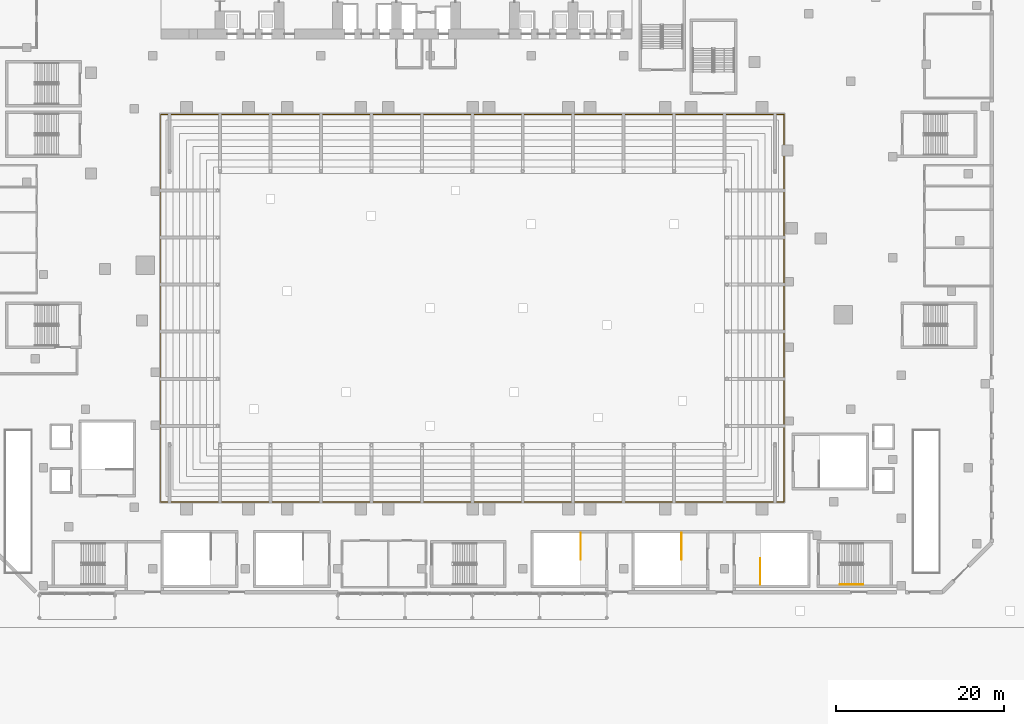
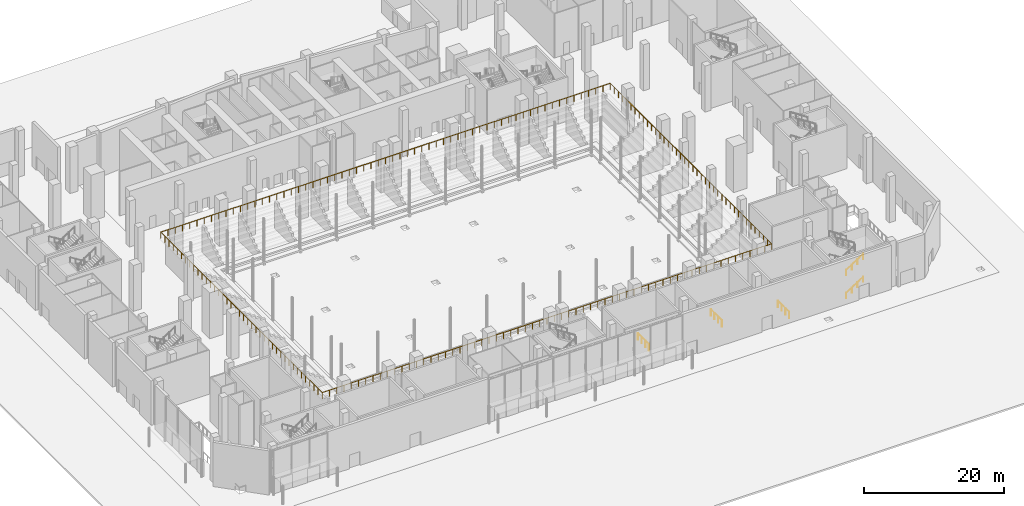
# One storey, part 35 of 41: 6 railings.
"""IFC4 building model written with IfcOpenShell, lengths in metres."""

import ifcopenshell
import ifcopenshell.guid

model = None  # the IFC model being written
_history = None  # IfcOwnerHistory: only IFC2X3 demands one
_inside = {}  # id of a spatial element -> (the spatial element, [elements in it])
_under = {}  # id of a project, library or spatial element -> (it, [spatial elements below it])
_declared = {}  # id of a project -> (the project, [libraries it declares])
_typed = {}  # id of a type object -> (the type object, [elements of that type])
_made_of = {}  # id of a material, layer set ... -> (it, [elements and type objects made of it])


def new_model(schema):
    """Start an empty IFC model of exactly this schema.

    Asked for "IFC4X3", IfcOpenShell would pick the latest addendum, in which some entities
    have other attributes; the version numbers below select the first issue.
    IFC2X3 requires an IfcOwnerHistory on every rooted entity: one is made here for all.
    """
    global model, _history
    if schema == "IFC4X3":
        model = ifcopenshell.file(schema_version=(4, 3, 0, 0))
    else:
        model = ifcopenshell.file(schema=schema)
    _inside.clear()
    _under.clear()
    _declared.clear()
    _typed.clear()
    _made_of.clear()
    _history = None
    if model.schema == "IFC2X3":
        org = make("IfcOrganization", Name="unknown")
        user = make(
            "IfcPersonAndOrganization",
            ThePerson=make("IfcPerson", FamilyName="unknown"),
            TheOrganization=org,
        )
        app = make(
            "IfcApplication",
            ApplicationDeveloper=org,
            Version="unknown",
            ApplicationFullName="unknown",
            ApplicationIdentifier="unknown",
        )
        _history = make(
            "IfcOwnerHistory",
            OwningUser=user,
            OwningApplication=app,
            ChangeAction="ADDED",
            CreationDate=0,
        )
    return model


def make(cls, **values):
    """One entity of the class cls with the attributes given. An attribute that is None is left unset."""
    return model.create_entity(
        cls, **{name: value for name, value in values.items() if value is not None}
    )


def rooted(cls, **values):
    """An entity with a GlobalId (a new one), such as an element, a storey or a relation."""
    return make(cls, GlobalId=ifcopenshell.guid.new(), OwnerHistory=_history, **values)


def si_unit(unit_type, name, prefix=None):
    """IfcSIUnit, for example si_unit("LENGTHUNIT", "METRE", prefix="MILLI")."""
    return make("IfcSIUnit", UnitType=unit_type, Prefix=prefix, Name=name)


def assignment(units):
    """IfcUnitAssignment: the units of a project."""
    return None if units is None else make("IfcUnitAssignment", Units=units)


def point(xyz):
    """IfcCartesianPoint."""
    return None if xyz is None else make("IfcCartesianPoint", Coordinates=xyz)


def direction(xyz):
    """IfcDirection."""
    return None if xyz is None else make("IfcDirection", DirectionRatios=xyz)


def frame(location, z_axis=None, x_axis=None):
    """IfcAxis2Placement3D, a coordinate frame: its origin and axes. An axis left out is left unset."""
    return make(
        "IfcAxis2Placement3D",
        Location=point(location),
        Axis=direction(z_axis),
        RefDirection=direction(x_axis),
    )


def frame_2d(location, x_axis=None):
    """IfcAxis2Placement2D, a coordinate frame in the plane: its origin and x axis."""
    return make(
        "IfcAxis2Placement2D", Location=point(location), RefDirection=direction(x_axis)
    )


def origin():
    """The frame at (0, 0, 0) with its axes left unset."""
    return frame((0.0, 0.0, 0.0))


def origin_2d():
    """The frame at (0, 0) in the plane with its x axis left unset."""
    return frame_2d((0.0, 0.0))


def place(relative_to, where):
    """IfcLocalPlacement: puts the frame where relative to a parent placement (None: the world)."""
    return make(
        "IfcLocalPlacement", PlacementRelTo=relative_to, RelativePlacement=where
    )


def context(
    kind, dimensions, precision=None, world=None, true_north=None, identifier=None
):
    """IfcGeometricRepresentationContext, for example the 3D "Model" context."""
    return make(
        "IfcGeometricRepresentationContext",
        ContextIdentifier=identifier,
        ContextType=kind,
        CoordinateSpaceDimension=dimensions,
        Precision=precision,
        WorldCoordinateSystem=world,
        TrueNorth=true_north,
    )


def subcontext(parent, identifier, kind, view, scale=None):
    """IfcGeometricRepresentationSubContext, for example "Body" below "Model"."""
    return make(
        "IfcGeometricRepresentationSubContext",
        ContextIdentifier=identifier,
        ContextType=kind,
        ParentContext=parent,
        TargetScale=scale,
        TargetView=view,
    )


def project(units=None, contexts=None):
    """IfcProject with its units and contexts."""
    return rooted(
        "IfcProject",
        Name="project",
        RepresentationContexts=contexts,
        UnitsInContext=assignment(units),
    )


def spatial(cls, under=None, at=None, **own):
    """A site, building, storey or space (cls), placed at a placement, below another one or the project."""
    s = rooted(cls, ObjectPlacement=at, **own)
    if under is not None:
        _under.setdefault(under.id(), (under, []))[1].append(s)
    return s


def profile(cls, at=None, kind="AREA", **sizes):
    """A parametric profile (cls). Its sizes go by their IFC names, for example OverallWidth=200.0."""
    return make(cls, ProfileType=kind, Position=at, **sizes)


def circle(**sizes):
    """IfcCircleProfileDef."""
    return profile("IfcCircleProfileDef", **sizes)


def extrude(swept, where, along, depth):
    """IfcExtrudedAreaSolid: the profile swept, set in the frame where, extruded along a direction by depth."""
    return make(
        "IfcExtrudedAreaSolid",
        SweptArea=swept,
        Position=where,
        ExtrudedDirection=direction(along),
        Depth=depth,
    )


def shape(context_of_items, identifier, shape_type, items):
    """IfcShapeRepresentation: the items that make up one representation, for example the "Body"."""
    return make(
        "IfcShapeRepresentation",
        ContextOfItems=context_of_items,
        RepresentationIdentifier=identifier,
        RepresentationType=shape_type,
        Items=items,
    )


def material(Name=None, Category=None):
    """IfcMaterial."""
    return make("IfcMaterial", Name=Name, Category=Category)


def made_of(thing, what):
    """Note that an element or type object is made of a material, layer set ...; save() writes the relation."""
    if what is not None:
        _made_of.setdefault(what.id(), (what, []))[1].append(thing)
    return thing


def type_object(cls, material=None, **own):
    """A type object (cls), such as IfcWallType, which elements share."""
    return made_of(rooted(cls, **own), material)


def element(
    cls,
    number,
    at=None,
    inside=None,
    cuts=None,
    type_object=None,
    material=None,
    context=None,
    identifier="Body",
    shape_type=None,
    held_by="IfcProductDefinitionShape",
    body=None,
    shapes=None,
    **own,
):
    """One element of the class cls, such as IfcWall. Its Tag is "e" and its number.

    at: its placement. inside: the storey or other place that contains it. cuts: it is an
    opening in that element (IfcRelVoidsElement). A single representation is given by context,
    identifier, shape_type and body (its items); several are given by shapes. held_by: the class
    of the entity that holds the representations. save() writes the other relations.
    """
    e = rooted(cls, Tag="e%d" % number, ObjectPlacement=at, **own)
    if body is not None:
        shapes = [shape(context, identifier, shape_type, body)]
    if shapes is not None:
        e.Representation = make(held_by, Representations=shapes)
    if inside is not None:
        _inside.setdefault(inside.id(), (inside, []))[1].append(e)
    if cuts is not None:
        rooted(
            "IfcRelVoidsElement", RelatingBuildingElement=cuts, RelatedOpeningElement=e
        )
    if type_object is not None:
        _typed.setdefault(type_object.id(), (type_object, []))[1].append(e)
    return made_of(e, material)


def aggregate(whole, parts):
    """IfcRelAggregates: a whole, such as a stair, and the parts it consists of."""
    return rooted("IfcRelAggregates", RelatingObject=whole, RelatedObjects=parts)


def save(model, path):
    """Write the relations noted so far, then the file.

    IfcRelAggregates (storeys below a building ...), IfcRelContainedInSpatialStructure (elements
    in a storey), IfcRelDefinesByType, IfcRelAssociatesMaterial and IfcRelDeclares: one each for
    every whole, place, type object, material and project.
    """
    for whole, parts in _under.values():
        aggregate(whole, parts)
    for where, things in _inside.values():
        rooted(
            "IfcRelContainedInSpatialStructure",
            RelatedElements=things,
            RelatingStructure=where,
        )
    for kind, things in _typed.values():
        rooted("IfcRelDefinesByType", RelatedObjects=things, RelatingType=kind)
    for what, things in _made_of.values():
        rooted("IfcRelAssociatesMaterial", RelatedObjects=things, RelatingMaterial=what)
    for by, libraries in _declared.values():
        rooted("IfcRelDeclares", RelatingContext=by, RelatedDefinitions=libraries)
    model.write(path)


model = new_model("IFC4")

# Units and contexts
model_context = context("Model", 3, precision=1e-05, world=origin(), true_north=direction((0.0, 1.0)))
body_context = subcontext(model_context, "Body", "Model", "MODEL_VIEW")
ifc_project = project(units=[si_unit("LENGTHUNIT", "METRE"), si_unit("AREAUNIT", "SQUARE_METRE"), si_unit("VOLUMEUNIT", "CUBIC_METRE"), si_unit("PLANEANGLEUNIT", "RADIAN"), si_unit("MASSUNIT", "GRAM", prefix="KILO")], contexts=[model_context])

# Site, building, storey
site_placement = place(None, origin())
site = spatial("IfcSite", under=ifc_project, at=site_placement, CompositionType="ELEMENT")
building_placement = place(site_placement, origin())
building = spatial("IfcBuilding", under=site, at=building_placement, Name="Wharfspan Tower", CompositionType="ELEMENT")
storey_placement = place(building_placement, origin())
storey = spatial("IfcBuildingStorey", under=building, at=storey_placement, Name="L00", CompositionType="ELEMENT", Elevation=0.0)

# Railings
ifc_material = material(Name="Steel S355J2", Category="steel")
railing_type_1 = type_object("IfcRailingType", Name="Guard 1100", PredefinedType="GUARDRAIL", material=ifc_material)
railing_1_placement = place(storey_placement, frame((8.949951, -21.050049, 4.949951)))
element("IfcRailing", 1, at=railing_1_placement, inside=storey, type_object=railing_type_1, Name="Guard on the top row", PredefinedType="GUARDRAIL", context=body_context, shape_type="SweptSolid", body=[
    extrude(circle(Radius=0.024902, at=origin_2d()), frame((0.0, 0.0, 1.075195), z_axis=(1.0, 0.0, 0.0), x_axis=(0.0, 1.0, 0.0)), (0.0, 0.0, 1.0), 74.100098),
    extrude(circle(Radius=0.024902, at=origin_2d()), frame((74.100098, 0.0, 1.075195), z_axis=(0.0, 1.0, 0.0), x_axis=(-1.0, 0.0, 0.0)), (0.0, 0.0, 1.0), 46.100098),
    extrude(circle(Radius=0.024902, at=origin_2d()), frame((74.100098, 46.100098, 1.075195), z_axis=(-1.0, 0.0, 0.0), x_axis=(0.0, -1.0, 0.0)), (0.0, 0.0, 1.0), 74.100098),
    extrude(circle(Radius=0.024902, at=origin_2d()), frame((0.0, 46.100098, 1.075195), z_axis=(0.0, -1.0, 0.0), x_axis=(1.0, 0.0, 0.0)), (0.0, 0.0, 1.0), 46.100098),
    extrude(circle(Radius=0.02002, at=origin_2d()), origin(), (0.0, 0.0, 1.0), 1.050049),
    extrude(circle(Radius=0.02002, at=origin_2d()), frame((1.195068, 0.0, 0.0)), (0.0, 0.0, 1.0), 1.050049),
    extrude(circle(Radius=0.02002, at=origin_2d()), frame((2.390381, 0.0, 0.0)), (0.0, 0.0, 1.0), 1.050049),
    extrude(circle(Radius=0.02002, at=origin_2d()), frame((3.585449, 0.0, 0.0)), (0.0, 0.0, 1.0), 1.050049),
    extrude(circle(Radius=0.02002, at=origin_2d()), frame((4.780762, 0.0, 0.0)), (0.0, 0.0, 1.0), 1.050049),
    extrude(circle(Radius=0.02002, at=origin_2d()), frame((5.97583, 0.0, 0.0)), (0.0, 0.0, 1.0), 1.050049),
    extrude(circle(Radius=0.02002, at=origin_2d()), frame((7.170898, 0.0, 0.0)), (0.0, 0.0, 1.0), 1.050049),
    extrude(circle(Radius=0.02002, at=origin_2d()), frame((8.366211, 0.0, 0.0)), (0.0, 0.0, 1.0), 1.050049),
    extrude(circle(Radius=0.02002, at=origin_2d()), frame((9.561279, 0.0, 0.0)), (0.0, 0.0, 1.0), 1.050049),
    extrude(circle(Radius=0.02002, at=origin_2d()), frame((10.756348, 0.0, 0.0)), (0.0, 0.0, 1.0), 1.050049),
    extrude(circle(Radius=0.02002, at=origin_2d()), frame((11.95166, 0.0, 0.0)), (0.0, 0.0, 1.0), 1.050049),
    extrude(circle(Radius=0.02002, at=origin_2d()), frame((13.146729, 0.0, 0.0)), (0.0, 0.0, 1.0), 1.050049),
    extrude(circle(Radius=0.02002, at=origin_2d()), frame((14.342041, 0.0, 0.0)), (0.0, 0.0, 1.0), 1.050049),
    extrude(circle(Radius=0.02002, at=origin_2d()), frame((15.537109, 0.0, 0.0)), (0.0, 0.0, 1.0), 1.050049),
    extrude(circle(Radius=0.02002, at=origin_2d()), frame((16.732178, 0.0, 0.0)), (0.0, 0.0, 1.0), 1.050049),
    extrude(circle(Radius=0.02002, at=origin_2d()), frame((17.92749, 0.0, 0.0)), (0.0, 0.0, 1.0), 1.050049),
    extrude(circle(Radius=0.02002, at=origin_2d()), frame((19.122559, 0.0, 0.0)), (0.0, 0.0, 1.0), 1.050049),
    extrude(circle(Radius=0.02002, at=origin_2d()), frame((20.317871, 0.0, 0.0)), (0.0, 0.0, 1.0), 1.050049),
    extrude(circle(Radius=0.02002, at=origin_2d()), frame((21.512939, 0.0, 0.0)), (0.0, 0.0, 1.0), 1.050049),
    extrude(circle(Radius=0.02002, at=origin_2d()), frame((22.708008, 0.0, 0.0)), (0.0, 0.0, 1.0), 1.050049),
    extrude(circle(Radius=0.02002, at=origin_2d()), frame((23.90332, 0.0, 0.0)), (0.0, 0.0, 1.0), 1.050049),
    extrude(circle(Radius=0.02002, at=origin_2d()), frame((25.098389, 0.0, 0.0)), (0.0, 0.0, 1.0), 1.050049),
    extrude(circle(Radius=0.02002, at=origin_2d()), frame((26.293701, 0.0, 0.0)), (0.0, 0.0, 1.0), 1.050049),
    extrude(circle(Radius=0.02002, at=origin_2d()), frame((27.48877, 0.0, 0.0)), (0.0, 0.0, 1.0), 1.050049),
    extrude(circle(Radius=0.02002, at=origin_2d()), frame((28.683838, 0.0, 0.0)), (0.0, 0.0, 1.0), 1.050049),
    extrude(circle(Radius=0.02002, at=origin_2d()), frame((29.87915, 0.0, 0.0)), (0.0, 0.0, 1.0), 1.050049),
    extrude(circle(Radius=0.02002, at=origin_2d()), frame((31.074219, 0.0, 0.0)), (0.0, 0.0, 1.0), 1.050049),
    extrude(circle(Radius=0.02002, at=origin_2d()), frame((32.269287, 0.0, 0.0)), (0.0, 0.0, 1.0), 1.050049),
    extrude(circle(Radius=0.02002, at=origin_2d()), frame((33.4646, 0.0, 0.0)), (0.0, 0.0, 1.0), 1.050049),
    extrude(circle(Radius=0.02002, at=origin_2d()), frame((34.659668, 0.0, 0.0)), (0.0, 0.0, 1.0), 1.050049),
    extrude(circle(Radius=0.02002, at=origin_2d()), frame((35.85498, 0.0, 0.0)), (0.0, 0.0, 1.0), 1.050049),
    extrude(circle(Radius=0.02002, at=origin_2d()), frame((37.050049, 0.0, 0.0)), (0.0, 0.0, 1.0), 1.050049),
    extrude(circle(Radius=0.02002, at=origin_2d()), frame((38.245117, 0.0, 0.0)), (0.0, 0.0, 1.0), 1.050049),
    extrude(circle(Radius=0.02002, at=origin_2d()), frame((39.44043, 0.0, 0.0)), (0.0, 0.0, 1.0), 1.050049),
    extrude(circle(Radius=0.02002, at=origin_2d()), frame((40.635498, 0.0, 0.0)), (0.0, 0.0, 1.0), 1.050049),
    extrude(circle(Radius=0.02002, at=origin_2d()), frame((41.830811, 0.0, 0.0)), (0.0, 0.0, 1.0), 1.050049),
    extrude(circle(Radius=0.02002, at=origin_2d()), frame((43.025879, 0.0, 0.0)), (0.0, 0.0, 1.0), 1.050049),
    extrude(circle(Radius=0.02002, at=origin_2d()), frame((44.220947, 0.0, 0.0)), (0.0, 0.0, 1.0), 1.050049),
    extrude(circle(Radius=0.02002, at=origin_2d()), frame((45.41626, 0.0, 0.0)), (0.0, 0.0, 1.0), 1.050049),
    extrude(circle(Radius=0.02002, at=origin_2d()), frame((46.611328, 0.0, 0.0)), (0.0, 0.0, 1.0), 1.050049),
    extrude(circle(Radius=0.02002, at=origin_2d()), frame((47.806396, 0.0, 0.0)), (0.0, 0.0, 1.0), 1.050049),
    extrude(circle(Radius=0.02002, at=origin_2d()), frame((49.001709, 0.0, 0.0)), (0.0, 0.0, 1.0), 1.050049),
    extrude(circle(Radius=0.02002, at=origin_2d()), frame((50.196777, 0.0, 0.0)), (0.0, 0.0, 1.0), 1.050049),
    extrude(circle(Radius=0.02002, at=origin_2d()), frame((51.39209, 0.0, 0.0)), (0.0, 0.0, 1.0), 1.050049),
    extrude(circle(Radius=0.02002, at=origin_2d()), frame((52.587158, 0.0, 0.0)), (0.0, 0.0, 1.0), 1.050049),
    extrude(circle(Radius=0.02002, at=origin_2d()), frame((53.782227, 0.0, 0.0)), (0.0, 0.0, 1.0), 1.050049),
    extrude(circle(Radius=0.02002, at=origin_2d()), frame((54.977539, 0.0, 0.0)), (0.0, 0.0, 1.0), 1.050049),
    extrude(circle(Radius=0.02002, at=origin_2d()), frame((56.172607, 0.0, 0.0)), (0.0, 0.0, 1.0), 1.050049),
    extrude(circle(Radius=0.02002, at=origin_2d()), frame((57.36792, 0.0, 0.0)), (0.0, 0.0, 1.0), 1.050049),
    extrude(circle(Radius=0.02002, at=origin_2d()), frame((58.562988, 0.0, 0.0)), (0.0, 0.0, 1.0), 1.050049),
    extrude(circle(Radius=0.02002, at=origin_2d()), frame((59.758057, 0.0, 0.0)), (0.0, 0.0, 1.0), 1.050049),
    extrude(circle(Radius=0.02002, at=origin_2d()), frame((60.953369, 0.0, 0.0)), (0.0, 0.0, 1.0), 1.050049),
    extrude(circle(Radius=0.02002, at=origin_2d()), frame((62.148438, 0.0, 0.0)), (0.0, 0.0, 1.0), 1.050049),
    extrude(circle(Radius=0.02002, at=origin_2d()), frame((63.34375, 0.0, 0.0)), (0.0, 0.0, 1.0), 1.050049),
    extrude(circle(Radius=0.02002, at=origin_2d()), frame((64.538818, 0.0, 0.0)), (0.0, 0.0, 1.0), 1.050049),
    extrude(circle(Radius=0.02002, at=origin_2d()), frame((65.733887, 0.0, 0.0)), (0.0, 0.0, 1.0), 1.050049),
    extrude(circle(Radius=0.02002, at=origin_2d()), frame((66.929199, 0.0, 0.0)), (0.0, 0.0, 1.0), 1.050049),
    extrude(circle(Radius=0.02002, at=origin_2d()), frame((68.124268, 0.0, 0.0)), (0.0, 0.0, 1.0), 1.050049),
    extrude(circle(Radius=0.02002, at=origin_2d()), frame((69.319336, 0.0, 0.0)), (0.0, 0.0, 1.0), 1.050049),
    extrude(circle(Radius=0.02002, at=origin_2d()), frame((70.514648, 0.0, 0.0)), (0.0, 0.0, 1.0), 1.050049),
    extrude(circle(Radius=0.02002, at=origin_2d()), frame((71.709717, 0.0, 0.0)), (0.0, 0.0, 1.0), 1.050049),
    extrude(circle(Radius=0.02002, at=origin_2d()), frame((72.905029, 0.0, 0.0)), (0.0, 0.0, 1.0), 1.050049),
    extrude(circle(Radius=0.02002, at=origin_2d()), frame((74.100098, 0.0, 0.0)), (0.0, 0.0, 1.0), 1.050049),
    extrude(circle(Radius=0.02002, at=origin_2d()), frame((74.100098, 1.182129, 0.0)), (0.0, 0.0, 1.0), 1.050049),
    extrude(circle(Radius=0.02002, at=origin_2d()), frame((74.100098, 2.364014, 0.0)), (0.0, 0.0, 1.0), 1.050049),
    extrude(circle(Radius=0.02002, at=origin_2d()), frame((74.100098, 3.546143, 0.0)), (0.0, 0.0, 1.0), 1.050049),
    extrude(circle(Radius=0.02002, at=origin_2d()), frame((74.100098, 4.728271, 0.0)), (0.0, 0.0, 1.0), 1.050049),
    extrude(circle(Radius=0.02002, at=origin_2d()), frame((74.100098, 5.910156, 0.0)), (0.0, 0.0, 1.0), 1.050049),
    extrude(circle(Radius=0.02002, at=origin_2d()), frame((74.100098, 7.092285, 0.0)), (0.0, 0.0, 1.0), 1.050049),
    extrude(circle(Radius=0.02002, at=origin_2d()), frame((74.100098, 8.274414, 0.0)), (0.0, 0.0, 1.0), 1.050049),
    extrude(circle(Radius=0.02002, at=origin_2d()), frame((74.100098, 9.456543, 0.0)), (0.0, 0.0, 1.0), 1.050049),
    extrude(circle(Radius=0.02002, at=origin_2d()), frame((74.100098, 10.638428, 0.0)), (0.0, 0.0, 1.0), 1.050049),
    extrude(circle(Radius=0.02002, at=origin_2d()), frame((74.100098, 11.820557, 0.0)), (0.0, 0.0, 1.0), 1.050049),
    extrude(circle(Radius=0.02002, at=origin_2d()), frame((74.100098, 13.002686, 0.0)), (0.0, 0.0, 1.0), 1.050049),
    extrude(circle(Radius=0.02002, at=origin_2d()), frame((74.100098, 14.18457, 0.0)), (0.0, 0.0, 1.0), 1.050049),
    extrude(circle(Radius=0.02002, at=origin_2d()), frame((74.100098, 15.366699, 0.0)), (0.0, 0.0, 1.0), 1.050049),
    extrude(circle(Radius=0.02002, at=origin_2d()), frame((74.100098, 16.548828, 0.0)), (0.0, 0.0, 1.0), 1.050049),
    extrude(circle(Radius=0.02002, at=origin_2d()), frame((74.100098, 17.730713, 0.0)), (0.0, 0.0, 1.0), 1.050049),
    extrude(circle(Radius=0.02002, at=origin_2d()), frame((74.100098, 18.912842, 0.0)), (0.0, 0.0, 1.0), 1.050049),
    extrude(circle(Radius=0.02002, at=origin_2d()), frame((74.100098, 20.094971, 0.0)), (0.0, 0.0, 1.0), 1.050049),
    extrude(circle(Radius=0.02002, at=origin_2d()), frame((74.100098, 21.276855, 0.0)), (0.0, 0.0, 1.0), 1.050049),
    extrude(circle(Radius=0.02002, at=origin_2d()), frame((74.100098, 22.458984, 0.0)), (0.0, 0.0, 1.0), 1.050049),
    extrude(circle(Radius=0.02002, at=origin_2d()), frame((74.100098, 23.641113, 0.0)), (0.0, 0.0, 1.0), 1.050049),
    extrude(circle(Radius=0.02002, at=origin_2d()), frame((74.100098, 24.823242, 0.0)), (0.0, 0.0, 1.0), 1.050049),
    extrude(circle(Radius=0.02002, at=origin_2d()), frame((74.100098, 26.005127, 0.0)), (0.0, 0.0, 1.0), 1.050049),
    extrude(circle(Radius=0.02002, at=origin_2d()), frame((74.100098, 27.187256, 0.0)), (0.0, 0.0, 1.0), 1.050049),
    extrude(circle(Radius=0.02002, at=origin_2d()), frame((74.100098, 28.369385, 0.0)), (0.0, 0.0, 1.0), 1.050049),
    extrude(circle(Radius=0.02002, at=origin_2d()), frame((74.100098, 29.55127, 0.0)), (0.0, 0.0, 1.0), 1.050049),
    extrude(circle(Radius=0.02002, at=origin_2d()), frame((74.100098, 30.733398, 0.0)), (0.0, 0.0, 1.0), 1.050049),
    extrude(circle(Radius=0.02002, at=origin_2d()), frame((74.100098, 31.915527, 0.0)), (0.0, 0.0, 1.0), 1.050049),
    extrude(circle(Radius=0.02002, at=origin_2d()), frame((74.100098, 33.097412, 0.0)), (0.0, 0.0, 1.0), 1.050049),
    extrude(circle(Radius=0.02002, at=origin_2d()), frame((74.100098, 34.279541, 0.0)), (0.0, 0.0, 1.0), 1.050049),
    extrude(circle(Radius=0.02002, at=origin_2d()), frame((74.100098, 35.46167, 0.0)), (0.0, 0.0, 1.0), 1.050049),
    extrude(circle(Radius=0.02002, at=origin_2d()), frame((74.100098, 36.643555, 0.0)), (0.0, 0.0, 1.0), 1.050049),
    extrude(circle(Radius=0.02002, at=origin_2d()), frame((74.100098, 37.825684, 0.0)), (0.0, 0.0, 1.0), 1.050049),
    extrude(circle(Radius=0.02002, at=origin_2d()), frame((74.100098, 39.007812, 0.0)), (0.0, 0.0, 1.0), 1.050049),
    extrude(circle(Radius=0.02002, at=origin_2d()), frame((74.100098, 40.189941, 0.0)), (0.0, 0.0, 1.0), 1.050049),
    extrude(circle(Radius=0.02002, at=origin_2d()), frame((74.100098, 41.371826, 0.0)), (0.0, 0.0, 1.0), 1.050049),
    extrude(circle(Radius=0.02002, at=origin_2d()), frame((74.100098, 42.553955, 0.0)), (0.0, 0.0, 1.0), 1.050049),
    extrude(circle(Radius=0.02002, at=origin_2d()), frame((74.100098, 43.736084, 0.0)), (0.0, 0.0, 1.0), 1.050049),
    extrude(circle(Radius=0.02002, at=origin_2d()), frame((74.100098, 44.917969, 0.0)), (0.0, 0.0, 1.0), 1.050049),
    extrude(circle(Radius=0.02002, at=origin_2d()), frame((74.100098, 46.100098, 0.0)), (0.0, 0.0, 1.0), 1.050049),
    extrude(circle(Radius=0.02002, at=origin_2d()), frame((72.905029, 46.100098, 0.0)), (0.0, 0.0, 1.0), 1.050049),
    extrude(circle(Radius=0.02002, at=origin_2d()), frame((71.709717, 46.100098, 0.0)), (0.0, 0.0, 1.0), 1.050049),
    extrude(circle(Radius=0.02002, at=origin_2d()), frame((70.514648, 46.100098, 0.0)), (0.0, 0.0, 1.0), 1.050049),
    extrude(circle(Radius=0.02002, at=origin_2d()), frame((69.319336, 46.100098, 0.0)), (0.0, 0.0, 1.0), 1.050049),
    extrude(circle(Radius=0.02002, at=origin_2d()), frame((68.124268, 46.100098, 0.0)), (0.0, 0.0, 1.0), 1.050049),
    extrude(circle(Radius=0.02002, at=origin_2d()), frame((66.929199, 46.100098, 0.0)), (0.0, 0.0, 1.0), 1.050049),
    extrude(circle(Radius=0.02002, at=origin_2d()), frame((65.733887, 46.100098, 0.0)), (0.0, 0.0, 1.0), 1.050049),
    extrude(circle(Radius=0.02002, at=origin_2d()), frame((64.538818, 46.100098, 0.0)), (0.0, 0.0, 1.0), 1.050049),
    extrude(circle(Radius=0.02002, at=origin_2d()), frame((63.34375, 46.100098, 0.0)), (0.0, 0.0, 1.0), 1.050049),
    extrude(circle(Radius=0.02002, at=origin_2d()), frame((62.148438, 46.100098, 0.0)), (0.0, 0.0, 1.0), 1.050049),
    extrude(circle(Radius=0.02002, at=origin_2d()), frame((60.953369, 46.100098, 0.0)), (0.0, 0.0, 1.0), 1.050049),
    extrude(circle(Radius=0.02002, at=origin_2d()), frame((59.758057, 46.100098, 0.0)), (0.0, 0.0, 1.0), 1.050049),
    extrude(circle(Radius=0.02002, at=origin_2d()), frame((58.562988, 46.100098, 0.0)), (0.0, 0.0, 1.0), 1.050049),
    extrude(circle(Radius=0.02002, at=origin_2d()), frame((57.36792, 46.100098, 0.0)), (0.0, 0.0, 1.0), 1.050049),
    extrude(circle(Radius=0.02002, at=origin_2d()), frame((56.172607, 46.100098, 0.0)), (0.0, 0.0, 1.0), 1.050049),
    extrude(circle(Radius=0.02002, at=origin_2d()), frame((54.977539, 46.100098, 0.0)), (0.0, 0.0, 1.0), 1.050049),
    extrude(circle(Radius=0.02002, at=origin_2d()), frame((53.782227, 46.100098, 0.0)), (0.0, 0.0, 1.0), 1.050049),
    extrude(circle(Radius=0.02002, at=origin_2d()), frame((52.587158, 46.100098, 0.0)), (0.0, 0.0, 1.0), 1.050049),
    extrude(circle(Radius=0.02002, at=origin_2d()), frame((51.39209, 46.100098, 0.0)), (0.0, 0.0, 1.0), 1.050049),
    extrude(circle(Radius=0.02002, at=origin_2d()), frame((50.196777, 46.100098, 0.0)), (0.0, 0.0, 1.0), 1.050049),
    extrude(circle(Radius=0.02002, at=origin_2d()), frame((49.001709, 46.100098, 0.0)), (0.0, 0.0, 1.0), 1.050049),
    extrude(circle(Radius=0.02002, at=origin_2d()), frame((47.806396, 46.100098, 0.0)), (0.0, 0.0, 1.0), 1.050049),
    extrude(circle(Radius=0.02002, at=origin_2d()), frame((46.611328, 46.100098, 0.0)), (0.0, 0.0, 1.0), 1.050049),
    extrude(circle(Radius=0.02002, at=origin_2d()), frame((45.41626, 46.100098, 0.0)), (0.0, 0.0, 1.0), 1.050049),
    extrude(circle(Radius=0.02002, at=origin_2d()), frame((44.220947, 46.100098, 0.0)), (0.0, 0.0, 1.0), 1.050049),
    extrude(circle(Radius=0.02002, at=origin_2d()), frame((43.025879, 46.100098, 0.0)), (0.0, 0.0, 1.0), 1.050049),
    extrude(circle(Radius=0.02002, at=origin_2d()), frame((41.830811, 46.100098, 0.0)), (0.0, 0.0, 1.0), 1.050049),
    extrude(circle(Radius=0.02002, at=origin_2d()), frame((40.635498, 46.100098, 0.0)), (0.0, 0.0, 1.0), 1.050049),
    extrude(circle(Radius=0.02002, at=origin_2d()), frame((39.44043, 46.100098, 0.0)), (0.0, 0.0, 1.0), 1.050049),
    extrude(circle(Radius=0.02002, at=origin_2d()), frame((38.245117, 46.100098, 0.0)), (0.0, 0.0, 1.0), 1.050049),
    extrude(circle(Radius=0.02002, at=origin_2d()), frame((37.050049, 46.100098, 0.0)), (0.0, 0.0, 1.0), 1.050049),
    extrude(circle(Radius=0.02002, at=origin_2d()), frame((35.85498, 46.100098, 0.0)), (0.0, 0.0, 1.0), 1.050049),
    extrude(circle(Radius=0.02002, at=origin_2d()), frame((34.659668, 46.100098, 0.0)), (0.0, 0.0, 1.0), 1.050049),
    extrude(circle(Radius=0.02002, at=origin_2d()), frame((33.4646, 46.100098, 0.0)), (0.0, 0.0, 1.0), 1.050049),
    extrude(circle(Radius=0.02002, at=origin_2d()), frame((32.269287, 46.100098, 0.0)), (0.0, 0.0, 1.0), 1.050049),
    extrude(circle(Radius=0.02002, at=origin_2d()), frame((31.074219, 46.100098, 0.0)), (0.0, 0.0, 1.0), 1.050049),
    extrude(circle(Radius=0.02002, at=origin_2d()), frame((29.87915, 46.100098, 0.0)), (0.0, 0.0, 1.0), 1.050049),
    extrude(circle(Radius=0.02002, at=origin_2d()), frame((28.683838, 46.100098, 0.0)), (0.0, 0.0, 1.0), 1.050049),
    extrude(circle(Radius=0.02002, at=origin_2d()), frame((27.48877, 46.100098, 0.0)), (0.0, 0.0, 1.0), 1.050049),
    extrude(circle(Radius=0.02002, at=origin_2d()), frame((26.293701, 46.100098, 0.0)), (0.0, 0.0, 1.0), 1.050049),
    extrude(circle(Radius=0.02002, at=origin_2d()), frame((25.098389, 46.100098, 0.0)), (0.0, 0.0, 1.0), 1.050049),
    extrude(circle(Radius=0.02002, at=origin_2d()), frame((23.90332, 46.100098, 0.0)), (0.0, 0.0, 1.0), 1.050049),
    extrude(circle(Radius=0.02002, at=origin_2d()), frame((22.708008, 46.100098, 0.0)), (0.0, 0.0, 1.0), 1.050049),
    extrude(circle(Radius=0.02002, at=origin_2d()), frame((21.512939, 46.100098, 0.0)), (0.0, 0.0, 1.0), 1.050049),
    extrude(circle(Radius=0.02002, at=origin_2d()), frame((20.317871, 46.100098, 0.0)), (0.0, 0.0, 1.0), 1.050049),
    extrude(circle(Radius=0.02002, at=origin_2d()), frame((19.122559, 46.100098, 0.0)), (0.0, 0.0, 1.0), 1.050049),
    extrude(circle(Radius=0.02002, at=origin_2d()), frame((17.92749, 46.100098, 0.0)), (0.0, 0.0, 1.0), 1.050049),
    extrude(circle(Radius=0.02002, at=origin_2d()), frame((16.732178, 46.100098, 0.0)), (0.0, 0.0, 1.0), 1.050049),
    extrude(circle(Radius=0.02002, at=origin_2d()), frame((15.537109, 46.100098, 0.0)), (0.0, 0.0, 1.0), 1.050049),
    extrude(circle(Radius=0.02002, at=origin_2d()), frame((14.342041, 46.100098, 0.0)), (0.0, 0.0, 1.0), 1.050049),
    extrude(circle(Radius=0.02002, at=origin_2d()), frame((13.146729, 46.100098, 0.0)), (0.0, 0.0, 1.0), 1.050049),
    extrude(circle(Radius=0.02002, at=origin_2d()), frame((11.95166, 46.100098, 0.0)), (0.0, 0.0, 1.0), 1.050049),
    extrude(circle(Radius=0.02002, at=origin_2d()), frame((10.756348, 46.100098, 0.0)), (0.0, 0.0, 1.0), 1.050049),
    extrude(circle(Radius=0.02002, at=origin_2d()), frame((9.561279, 46.100098, 0.0)), (0.0, 0.0, 1.0), 1.050049),
    extrude(circle(Radius=0.02002, at=origin_2d()), frame((8.366211, 46.100098, 0.0)), (0.0, 0.0, 1.0), 1.050049),
    extrude(circle(Radius=0.02002, at=origin_2d()), frame((7.170898, 46.100098, 0.0)), (0.0, 0.0, 1.0), 1.050049),
    extrude(circle(Radius=0.02002, at=origin_2d()), frame((5.97583, 46.100098, 0.0)), (0.0, 0.0, 1.0), 1.050049),
    extrude(circle(Radius=0.02002, at=origin_2d()), frame((4.780762, 46.100098, 0.0)), (0.0, 0.0, 1.0), 1.050049),
    extrude(circle(Radius=0.02002, at=origin_2d()), frame((3.585449, 46.100098, 0.0)), (0.0, 0.0, 1.0), 1.050049),
    extrude(circle(Radius=0.02002, at=origin_2d()), frame((2.390381, 46.100098, 0.0)), (0.0, 0.0, 1.0), 1.050049),
    extrude(circle(Radius=0.02002, at=origin_2d()), frame((1.195068, 46.100098, 0.0)), (0.0, 0.0, 1.0), 1.050049),
    extrude(circle(Radius=0.02002, at=origin_2d()), frame((0.0, 46.100098, 0.0)), (0.0, 0.0, 1.0), 1.050049),
    extrude(circle(Radius=0.02002, at=origin_2d()), frame((0.0, 44.917969, 0.0)), (0.0, 0.0, 1.0), 1.050049),
    extrude(circle(Radius=0.02002, at=origin_2d()), frame((0.0, 43.736084, 0.0)), (0.0, 0.0, 1.0), 1.050049),
    extrude(circle(Radius=0.02002, at=origin_2d()), frame((0.0, 42.553955, 0.0)), (0.0, 0.0, 1.0), 1.050049),
    extrude(circle(Radius=0.02002, at=origin_2d()), frame((0.0, 41.371826, 0.0)), (0.0, 0.0, 1.0), 1.050049),
    extrude(circle(Radius=0.02002, at=origin_2d()), frame((0.0, 40.189941, 0.0)), (0.0, 0.0, 1.0), 1.050049),
    extrude(circle(Radius=0.02002, at=origin_2d()), frame((0.0, 39.007812, 0.0)), (0.0, 0.0, 1.0), 1.050049),
    extrude(circle(Radius=0.02002, at=origin_2d()), frame((0.0, 37.825684, 0.0)), (0.0, 0.0, 1.0), 1.050049),
    extrude(circle(Radius=0.02002, at=origin_2d()), frame((0.0, 36.643555, 0.0)), (0.0, 0.0, 1.0), 1.050049),
    extrude(circle(Radius=0.02002, at=origin_2d()), frame((0.0, 35.46167, 0.0)), (0.0, 0.0, 1.0), 1.050049),
    extrude(circle(Radius=0.02002, at=origin_2d()), frame((0.0, 34.279541, 0.0)), (0.0, 0.0, 1.0), 1.050049),
    extrude(circle(Radius=0.02002, at=origin_2d()), frame((0.0, 33.097412, 0.0)), (0.0, 0.0, 1.0), 1.050049),
    extrude(circle(Radius=0.02002, at=origin_2d()), frame((0.0, 31.915527, 0.0)), (0.0, 0.0, 1.0), 1.050049),
    extrude(circle(Radius=0.02002, at=origin_2d()), frame((0.0, 30.733398, 0.0)), (0.0, 0.0, 1.0), 1.050049),
    extrude(circle(Radius=0.02002, at=origin_2d()), frame((0.0, 29.55127, 0.0)), (0.0, 0.0, 1.0), 1.050049),
    extrude(circle(Radius=0.02002, at=origin_2d()), frame((0.0, 28.369385, 0.0)), (0.0, 0.0, 1.0), 1.050049),
    extrude(circle(Radius=0.02002, at=origin_2d()), frame((0.0, 27.187256, 0.0)), (0.0, 0.0, 1.0), 1.050049),
    extrude(circle(Radius=0.02002, at=origin_2d()), frame((0.0, 26.005127, 0.0)), (0.0, 0.0, 1.0), 1.050049),
    extrude(circle(Radius=0.02002, at=origin_2d()), frame((0.0, 24.823242, 0.0)), (0.0, 0.0, 1.0), 1.050049),
    extrude(circle(Radius=0.02002, at=origin_2d()), frame((0.0, 23.641113, 0.0)), (0.0, 0.0, 1.0), 1.050049),
    extrude(circle(Radius=0.02002, at=origin_2d()), frame((0.0, 22.458984, 0.0)), (0.0, 0.0, 1.0), 1.050049),
    extrude(circle(Radius=0.02002, at=origin_2d()), frame((0.0, 21.276855, 0.0)), (0.0, 0.0, 1.0), 1.050049),
    extrude(circle(Radius=0.02002, at=origin_2d()), frame((0.0, 20.094971, 0.0)), (0.0, 0.0, 1.0), 1.050049),
    extrude(circle(Radius=0.02002, at=origin_2d()), frame((0.0, 18.912842, 0.0)), (0.0, 0.0, 1.0), 1.050049),
    extrude(circle(Radius=0.02002, at=origin_2d()), frame((0.0, 17.730713, 0.0)), (0.0, 0.0, 1.0), 1.050049),
    extrude(circle(Radius=0.02002, at=origin_2d()), frame((0.0, 16.548828, 0.0)), (0.0, 0.0, 1.0), 1.050049),
    extrude(circle(Radius=0.02002, at=origin_2d()), frame((0.0, 15.366699, 0.0)), (0.0, 0.0, 1.0), 1.050049),
    extrude(circle(Radius=0.02002, at=origin_2d()), frame((0.0, 14.18457, 0.0)), (0.0, 0.0, 1.0), 1.050049),
    extrude(circle(Radius=0.02002, at=origin_2d()), frame((0.0, 13.002686, 0.0)), (0.0, 0.0, 1.0), 1.050049),
    extrude(circle(Radius=0.02002, at=origin_2d()), frame((0.0, 11.820557, 0.0)), (0.0, 0.0, 1.0), 1.050049),
    extrude(circle(Radius=0.02002, at=origin_2d()), frame((0.0, 10.638428, 0.0)), (0.0, 0.0, 1.0), 1.050049),
    extrude(circle(Radius=0.02002, at=origin_2d()), frame((0.0, 9.456543, 0.0)), (0.0, 0.0, 1.0), 1.050049),
    extrude(circle(Radius=0.02002, at=origin_2d()), frame((0.0, 8.274414, 0.0)), (0.0, 0.0, 1.0), 1.050049),
    extrude(circle(Radius=0.02002, at=origin_2d()), frame((0.0, 7.092285, 0.0)), (0.0, 0.0, 1.0), 1.050049),
    extrude(circle(Radius=0.02002, at=origin_2d()), frame((0.0, 5.910156, 0.0)), (0.0, 0.0, 1.0), 1.050049),
    extrude(circle(Radius=0.02002, at=origin_2d()), frame((0.0, 4.728271, 0.0)), (0.0, 0.0, 1.0), 1.050049),
    extrude(circle(Radius=0.02002, at=origin_2d()), frame((0.0, 3.546143, 0.0)), (0.0, 0.0, 1.0), 1.050049),
    extrude(circle(Radius=0.02002, at=origin_2d()), frame((0.0, 2.364014, 0.0)), (0.0, 0.0, 1.0), 1.050049),
    extrude(circle(Radius=0.02002, at=origin_2d()), frame((0.0, 1.182129, 0.0)), (0.0, 0.0, 1.0), 1.050049),
])
railing_type_2 = type_object("IfcRailingType", Name="Podium guard 1100", PredefinedType="GUARDRAIL", material=ifc_material)
for number, where, name in (
    (2, (58.899902, -24.75, 0.0), "L00 SB3 top well guard 1"),
    (3, (70.899902, -24.75, 0.0), "L00 SB4 top well guard 1"),
):
    element("IfcRailing", number, at=place(storey_placement, frame(where)), inside=storey, type_object=railing_type_2, Name=name, PredefinedType="GUARDRAIL", context=body_context, shape_type="SweptSolid", body=[
        extrude(circle(Radius=0.023926, at=origin_2d()), frame((0.0, 0.0, 1.076172), z_axis=(0.0, -1.0, 0.0), x_axis=(1.0, 0.0, 0.0)), (0.0, 0.0, 1.0), 3.149902),
        extrude(circle(Radius=0.020996, at=origin_2d()), origin(), (0.0, 0.0, 1.0), 1.052002),
        extrude(circle(Radius=0.020996, at=origin_2d()), frame((0.0, -1.050049, 0.0)), (0.0, 0.0, 1.0), 1.052002),
        extrude(circle(Radius=0.020996, at=origin_2d()), frame((0.0, -2.099854, 0.0)), (0.0, 0.0, 1.0), 1.052002),
        extrude(circle(Radius=0.020996, at=origin_2d()), frame((0.0, -3.149902, 0.0)), (0.0, 0.0, 1.0), 1.052002),
    ])
railing_2_placement = place(storey_placement, frame((80.25, -30.899902, 0.0)))
element("IfcRailing", 4, at=railing_2_placement, inside=storey, type_object=railing_type_2, Name="L00 SB5 top well guard 1", PredefinedType="GUARDRAIL", context=body_context, shape_type="SweptSolid", body=[
    extrude(circle(Radius=0.023926, at=origin_2d()), frame((0.0, 0.0, 1.076172), z_axis=(0.0, 1.0, 0.0), x_axis=(-1.0, 0.0, 0.0)), (0.0, 0.0, 1.0), 3.149902),
    extrude(circle(Radius=0.020996, at=origin_2d()), origin(), (0.0, 0.0, 1.0), 1.052002),
    extrude(circle(Radius=0.020996, at=origin_2d()), frame((0.0, 1.050049, 0.0)), (0.0, 0.0, 1.0), 1.052002),
    extrude(circle(Radius=0.020996, at=origin_2d()), frame((0.0, 2.099854, 0.0)), (0.0, 0.0, 1.0), 1.052002),
    extrude(circle(Radius=0.020996, at=origin_2d()), frame((0.0, 3.149902, 0.0)), (0.0, 0.0, 1.0), 1.052002),
])
railing_type_3 = type_object("IfcRailingType", Name="Podium stair handrail 900", PredefinedType="HANDRAIL", material=ifc_material)
for number, where, name in (
    (5, (89.699951, -30.850098, 0.181885), "L00 AS2 stair handrail 1"),
    (6, (89.699951, -30.850098, 4.181885), "L00 AS2 stair handrail 3"),
):
    element("IfcRailing", number, at=place(storey_placement, frame(where)), inside=storey, type_object=railing_type_3, Name=name, PredefinedType="HANDRAIL", context=body_context, shape_type="SweptSolid", body=[
        extrude(circle(Radius=0.023926, at=origin_2d()), frame((0.0, 0.0, 0.875977), z_axis=(0.838706, 0.0, 0.544585), x_axis=(0.0, 1.0, 0.0)), (0.0, 0.0, 1.0), 3.338623),
        extrude(circle(Radius=0.020996, at=origin_2d()), origin(), (0.0, 0.0, 1.0), 0.851807),
        extrude(circle(Radius=0.020996, at=origin_2d()), frame((0.93335, 0.0, 0.605957)), (0.0, 0.0, 1.0), 0.851807),
        extrude(circle(Radius=0.020996, at=origin_2d()), frame((1.866699, 0.0, 1.212158)), (0.0, 0.0, 1.0), 0.851807),
        extrude(circle(Radius=0.020996, at=origin_2d()), frame((2.800049, 0.0, 1.818115)), (0.0, 0.0, 1.0), 0.851807),
    ])

save(model, "model.ifc")
